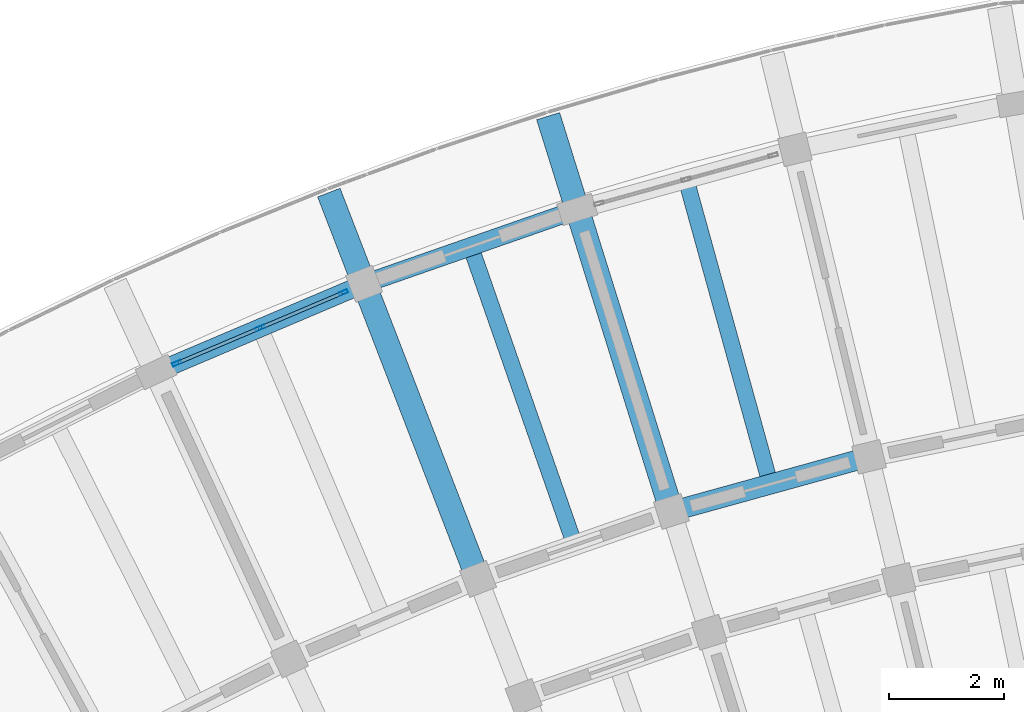
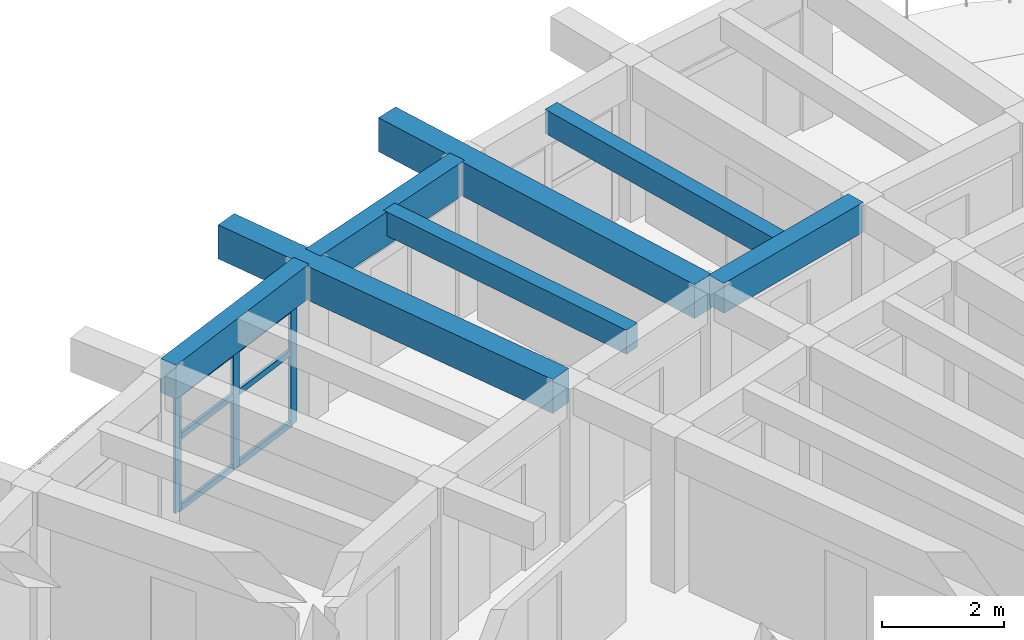
# One storey, part 17 of 62: 9 members, 7 beams, 1 element without a shape of its own.
"""IFC4 building model written with IfcOpenShell, lengths in metres."""

from ifc_helpers import new_model, si_unit, direction, frame, origin, origin_2d, place, context, subcontext, project, spatial, rectangle, hollow_rectangle, extrude, material, material_profile, profile_set, type_object, element, aggregate, save


model = new_model("IFC4")

# Units and contexts
model_context = context("Model", 3, precision=1e-05, world=origin(), true_north=direction((0.0, 1.0)))
body_context = subcontext(model_context, "Body", "Model", "MODEL_VIEW")
ifc_project = project(units=[si_unit("LENGTHUNIT", "METRE"), si_unit("AREAUNIT", "SQUARE_METRE"), si_unit("VOLUMEUNIT", "CUBIC_METRE"), si_unit("PLANEANGLEUNIT", "RADIAN"), si_unit("MASSUNIT", "GRAM", prefix="KILO")], contexts=[model_context])

# Site, building, storey
site_placement = place(None, origin())
site = spatial("IfcSite", under=ifc_project, at=site_placement, CompositionType="ELEMENT")
building_placement = place(site_placement, origin())
building = spatial("IfcBuilding", under=site, at=building_placement, Name="Tanwirah Colonnade Gardens", CompositionType="ELEMENT")
storey_placement = place(building_placement, frame((0.0, 0.0, 32.360107421875)))
storey = spatial("IfcBuildingStorey", under=building, at=storey_placement, Name="L09", CompositionType="ELEMENT", Elevation=32.360107421875)

# Beams
ifc_material_1 = material(Name="Precast concrete C40/50", Category="concrete")
ifc_material_profile_1 = material_profile(ifc_material_1, rectangle(XDim=0.35009765625, YDim=0.60009765625, at=origin_2d()), Name="PC-BM 350x600")
ifc_profile_set_1 = profile_set([ifc_material_profile_1], Name="Precast concrete C40/50")
beam_type_1 = type_object("IfcBeamType", Name="BM-PC350B", PredefinedType="BEAM", material=ifc_profile_set_1)
beam_placement = place(storey_placement, frame((52.186767578125, 112.704345703125, 2.81494140625), z_axis=(-0.9638953302, -0.266281415833, 0.0), x_axis=(0.266281415833, -0.9638953302, 0.0)))
element("IfcBeam", 1, at=beam_placement, inside=storey, type_object=beam_type_1, Name="Block A L09 Circumferential Beam 2-R2", PredefinedType="BEAM", context=body_context, shape_type="SweptSolid", body=[
    extrude(rectangle(XDim=0.35009765625, YDim=0.60009765625, at=origin_2d()), origin(), (0.0, 0.0, 1.0), 3.26318359375),
])
ifc_material_2 = material(Name="Precast concrete C45/55", Category="concrete")
ifc_material_profile_2 = material_profile(ifc_material_2, rectangle(XDim=0.419921875, YDim=0.679931640625, at=origin_2d()), Name="PC-BM 420x680")
ifc_profile_set_2 = profile_set([ifc_material_profile_2], Name="Precast concrete C45/55")
beam_type_2 = type_object("IfcBeamType", Name="BM-PC420", PredefinedType="BEAM", material=ifc_profile_set_2)
for number, where, z_axis, x_axis, name in (
    (2, (48.852294921875, 111.938720703125, 2.77490234375), (-0.297957513373, 0.954579132511, 0.0), (-0.954579132511, -0.297957513373, 0.0), "Block A L09 Outer Radial Precast Girder 3"),
    (3, (45.478271484375, 110.76220703125, 2.77490234375), (-0.360150678391, 0.932894146651, 0.0), (-0.932894146651, -0.360150678391, 0.0), "Block A L09 Outer Radial Precast Girder 4"),
):
    element("IfcBeam", number, at=place(storey_placement, frame(where, z_axis=z_axis, x_axis=x_axis)), inside=storey, type_object=beam_type_2, Name=name, PredefinedType="BEAM", context=body_context, shape_type="SweptSolid", body=[
        extrude(rectangle(XDim=0.419921875, YDim=0.679931640625, at=origin_2d()), origin(), (0.0, 0.0, 1.0), 7.050048828125),
    ])

# Curtain wall, members
ifc_material_3 = material(Name="Bronze-anodised aluminium and solar-control low-E glass", Category="aluminium")
curtain_wall_type = type_object("IfcCurtainWallType", Name="CW-LOB", PredefinedType="NOTDEFINED", material=ifc_material_3)
curtain_wall_placement = place(storey_placement, origin())
curtain_wall = element("IfcCurtainWall", 4, at=curtain_wall_placement, inside=storey, type_object=curtain_wall_type, Name="Curtain Wall CW-A-L09-OUT-04", PredefinedType="NOTDEFINED")
ifc_material_4 = material(Name="Bronze-anodised aluminium", Category="aluminium")
ifc_material_profile_3 = material_profile(ifc_material_4, hollow_rectangle(XDim=0.06005859375, YDim=0.159912109375, WallThickness=0.00390625, at=origin_2d()), Name="CW-MUL 60x160x4")
ifc_profile_set_3 = profile_set([ifc_material_profile_3], Name="Bronze-anodised aluminium")
member_type_1 = type_object("IfcMemberType", Name="CWM-60x160", PredefinedType="MULLION", material=ifc_profile_set_3)
member_1_placement = place(storey_placement, frame((43.1923828125, 115.600830078125, 0.0), z_axis=(0.0, 0.0, 1.0), x_axis=(0.390729607022, -0.920505499276, 0.0)))
member_1 = element("IfcMember", 5, at=member_1_placement, type_object=member_type_1, Name="CW-LOB mullion 1", PredefinedType="MULLION", context=body_context, shape_type="SweptSolid", body=[
    extrude(hollow_rectangle(XDim=0.06005859375, YDim=0.159912109375, WallThickness=0.00390625, at=origin_2d()), origin(), (0.0, 0.0, 1.0), 2.35498046875),
])
member_2_placement = place(storey_placement, frame((41.74462890625, 114.986328125, 0.0), z_axis=(0.0, 0.0, 1.0), x_axis=(0.390729607022, -0.920505499276, 0.0)))
member_2 = element("IfcMember", 6, at=member_2_placement, type_object=member_type_1, Name="CW-LOB mullion 2", PredefinedType="MULLION", context=body_context, shape_type="SweptSolid", body=[
    extrude(hollow_rectangle(XDim=0.06005859375, YDim=0.159912109375, WallThickness=0.00390625, at=origin_2d()), origin(), (0.0, 0.0, 1.0), 2.35498046875),
])
member_3_placement = place(storey_placement, frame((40.296875, 114.371826171875, 0.0), z_axis=(0.0, 0.0, 1.0), x_axis=(0.390729607022, -0.920505499276, 0.0)))
member_3 = element("IfcMember", 7, at=member_3_placement, type_object=member_type_1, Name="CW-LOB mullion 3", PredefinedType="MULLION", context=body_context, shape_type="SweptSolid", body=[
    extrude(hollow_rectangle(XDim=0.06005859375, YDim=0.159912109375, WallThickness=0.00390625, at=origin_2d()), origin(), (0.0, 0.0, 1.0), 2.35498046875),
])
ifc_material_profile_4 = material_profile(ifc_material_4, hollow_rectangle(XDim=0.06005859375, YDim=0.1201171875, WallThickness=0.00390625, at=origin_2d()), Name="CW-TRN 60x120x4")
ifc_profile_set_4 = profile_set([ifc_material_profile_4], Name="Bronze-anodised aluminium")
member_type_2 = type_object("IfcMemberType", Name="CWT-60x120", PredefinedType="USERDEFINED", material=ifc_profile_set_4)
member_4_placement = place(storey_placement, frame((43.164794921875, 115.589111328125, 0.02978515625), z_axis=(-0.920516714387, -0.3907031847, 0.0), x_axis=(0.3907031847, -0.920516714387, 0.0)))
member_4 = element("IfcMember", 8, at=member_4_placement, type_object=member_type_2, Name="CW-LOB transom 1.1", ObjectType="TRANSOM", PredefinedType="USERDEFINED", context=body_context, shape_type="SweptSolid", body=[
    extrude(hollow_rectangle(XDim=0.06005859375, YDim=0.1201171875, WallThickness=0.00390625, at=origin_2d()), origin(), (0.0, 0.0, 1.0), 1.512939453125),
])
member_5_placement = place(storey_placement, frame((43.164794921875, 115.589111328125, 1.4599609375), z_axis=(-0.920516714387, -0.3907031847, 0.0), x_axis=(0.3907031847, -0.920516714387, 0.0)))
member_5 = element("IfcMember", 9, at=member_5_placement, type_object=member_type_2, Name="CW-LOB transom 1.2", ObjectType="TRANSOM", PredefinedType="USERDEFINED", context=body_context, shape_type="SweptSolid", body=[
    extrude(hollow_rectangle(XDim=0.06005859375, YDim=0.1201171875, WallThickness=0.00390625, at=origin_2d()), origin(), (0.0, 0.0, 1.0), 1.512939453125),
])
member_6_placement = place(storey_placement, frame((43.164794921875, 115.589111328125, 2.324951171875), z_axis=(-0.920516714387, -0.3907031847, 0.0), x_axis=(0.3907031847, -0.920516714387, 0.0)))
member_6 = element("IfcMember", 10, at=member_6_placement, type_object=member_type_2, Name="CW-LOB transom 1.3", ObjectType="TRANSOM", PredefinedType="USERDEFINED", context=body_context, shape_type="SweptSolid", body=[
    extrude(hollow_rectangle(XDim=0.06005859375, YDim=0.1201171875, WallThickness=0.00390625, at=origin_2d()), origin(), (0.0, 0.0, 1.0), 1.512939453125),
])
member_7_placement = place(storey_placement, frame((41.717041015625, 114.974609375, 0.02978515625), z_axis=(-0.920516714387, -0.3907031847, 0.0), x_axis=(0.3907031847, -0.920516714387, 0.0)))
member_7 = element("IfcMember", 11, at=member_7_placement, type_object=member_type_2, Name="CW-LOB transom 2.1", ObjectType="TRANSOM", PredefinedType="USERDEFINED", context=body_context, shape_type="SweptSolid", body=[
    extrude(hollow_rectangle(XDim=0.06005859375, YDim=0.1201171875, WallThickness=0.00390625, at=origin_2d()), origin(), (0.0, 0.0, 1.0), 1.512939453125),
])
member_8_placement = place(storey_placement, frame((41.717041015625, 114.974609375, 1.4599609375), z_axis=(-0.920516714387, -0.3907031847, 0.0), x_axis=(0.3907031847, -0.920516714387, 0.0)))
member_8 = element("IfcMember", 12, at=member_8_placement, type_object=member_type_2, Name="CW-LOB transom 2.2", ObjectType="TRANSOM", PredefinedType="USERDEFINED", context=body_context, shape_type="SweptSolid", body=[
    extrude(hollow_rectangle(XDim=0.06005859375, YDim=0.1201171875, WallThickness=0.00390625, at=origin_2d()), origin(), (0.0, 0.0, 1.0), 1.512939453125),
])
member_9_placement = place(storey_placement, frame((41.717041015625, 114.974609375, 2.324951171875), z_axis=(-0.920516714387, -0.3907031847, 0.0), x_axis=(0.3907031847, -0.920516714387, 0.0)))
member_9 = element("IfcMember", 13, at=member_9_placement, type_object=member_type_2, Name="CW-LOB transom 2.3", ObjectType="TRANSOM", PredefinedType="USERDEFINED", context=body_context, shape_type="SweptSolid", body=[
    extrude(hollow_rectangle(XDim=0.06005859375, YDim=0.1201171875, WallThickness=0.00390625, at=origin_2d()), origin(), (0.0, 0.0, 1.0), 1.512939453125),
])
aggregate(curtain_wall, [member_1, member_2, member_3, member_4, member_5, member_6, member_7, member_8, member_9])

# Beams
ifc_material_profile_5 = material_profile(ifc_material_1, rectangle(XDim=0.280029296875, YDim=0.47998046875, at=origin_2d()), Name="PC-JST 280x480")
ifc_profile_set_5 = profile_set([ifc_material_profile_5], Name="Precast concrete C40/50")
beam_type_3 = type_object("IfcBeamType", Name="JST-PC280", PredefinedType="JOIST", material=ifc_profile_set_5)
for number, where, z_axis, x_axis, name in (
    (14, (50.57421875, 112.413818359375, 2.875), (-0.266281476085, 0.963895313555, 0.0), (-0.963895313555, -0.266281476085, 0.0), "Block A L09 Precast Floor Joist 2"),
    (15, (47.16552734375, 111.349853515625, 2.875), (-0.3292586038, 0.944239785131, 0.0), (-0.944239785131, -0.3292586038, 0.0), "Block A L09 Precast Floor Joist 3"),
):
    element("IfcBeam", number, at=place(storey_placement, frame(where, z_axis=z_axis, x_axis=x_axis)), inside=storey, type_object=beam_type_3, Name=name, PredefinedType="JOIST", context=body_context, shape_type="SweptSolid", body=[
        extrude(rectangle(XDim=0.280029296875, YDim=0.47998046875, at=origin_2d()), origin(), (0.0, 0.0, 1.0), 5.260009765625),
    ])
ifc_material_profile_6 = material_profile(ifc_material_2, rectangle(XDim=0.320068359375, YDim=0.679931640625, at=origin_2d()), Name="PC-SP 320x680")
ifc_profile_set_6 = profile_set([ifc_material_profile_6], Name="Precast concrete C45/55")
beam_type_4 = type_object("IfcBeamType", Name="SP-PC320", PredefinedType="SPANDREL", material=ifc_profile_set_6)
for number, where, z_axis, x_axis, name in (
    (16, (47.11669921875, 116.996337890625, 2.77490234375), (-0.944236700093, -0.329267450863, 0.0), (0.329267450863, -0.944236700093, 0.0), "Block A L09 Circumferential Beam 3-R3"),
    (17, (43.413330078125, 115.694580078125, 2.77490234375), (-0.920494456807, -0.390755620545, 0.0), (0.390755620545, -0.920494456807, 0.0), "Block A L09 Circumferential Beam 4-R3"),
):
    element("IfcBeam", number, at=place(storey_placement, frame(where, z_axis=z_axis, x_axis=x_axis)), inside=storey, type_object=beam_type_4, Name=name, PredefinedType="SPANDREL", context=body_context, shape_type="SweptSolid", body=[
        extrude(rectangle(XDim=0.320068359375, YDim=0.679931640625, at=origin_2d()), origin(), (0.0, 0.0, 1.0), 3.625732421875),
    ])

save(model, "model.ifc")
